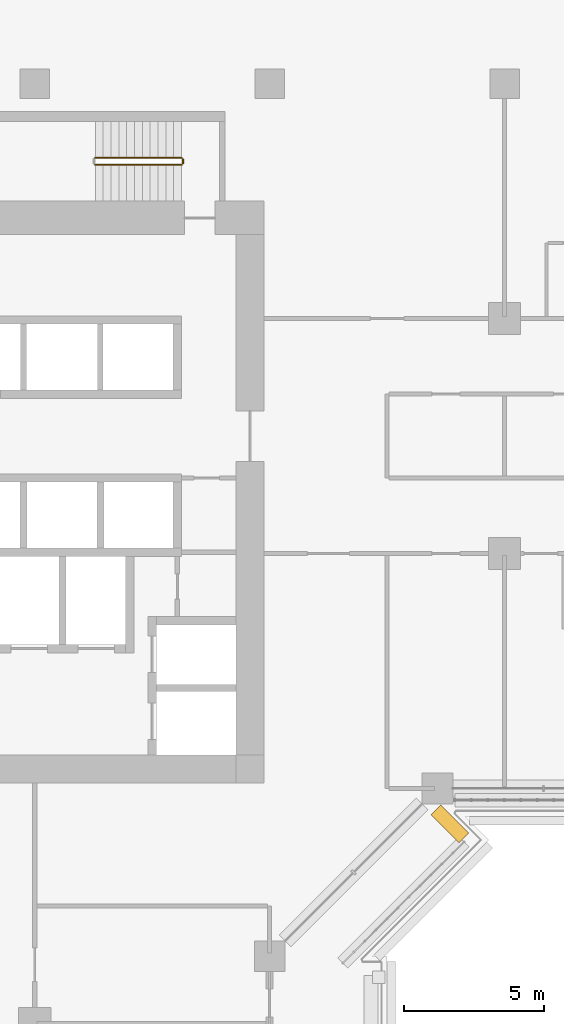
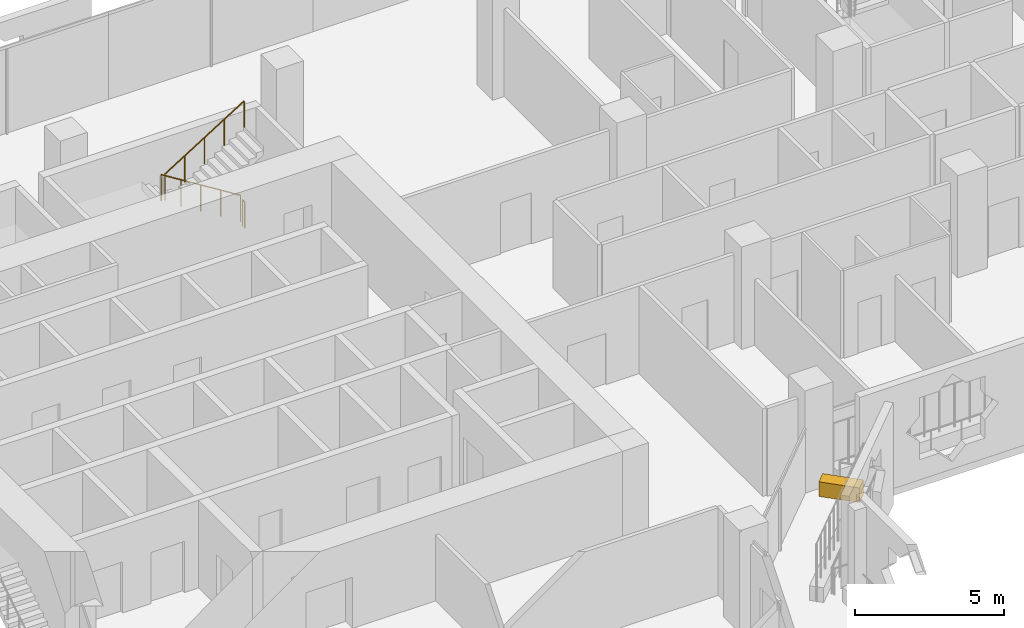
# One storey, part 22 of 26: 3 railings, 1 covering.
"""IFC4 building model written with IfcOpenShell, lengths in metres."""

import ifcopenshell
import ifcopenshell.guid

model = None  # the IFC model being written
_history = None  # IfcOwnerHistory: only IFC2X3 demands one
_inside = {}  # id of a spatial element -> (the spatial element, [elements in it])
_under = {}  # id of a project, library or spatial element -> (it, [spatial elements below it])
_declared = {}  # id of a project -> (the project, [libraries it declares])
_typed = {}  # id of a type object -> (the type object, [elements of that type])
_made_of = {}  # id of a material, layer set ... -> (it, [elements and type objects made of it])


def new_model(schema):
    """Start an empty IFC model of exactly this schema.

    Asked for "IFC4X3", IfcOpenShell would pick the latest addendum, in which some entities
    have other attributes; the version numbers below select the first issue.
    IFC2X3 requires an IfcOwnerHistory on every rooted entity: one is made here for all.
    """
    global model, _history
    if schema == "IFC4X3":
        model = ifcopenshell.file(schema_version=(4, 3, 0, 0))
    else:
        model = ifcopenshell.file(schema=schema)
    _inside.clear()
    _under.clear()
    _declared.clear()
    _typed.clear()
    _made_of.clear()
    _history = None
    if model.schema == "IFC2X3":
        org = make("IfcOrganization", Name="unknown")
        user = make(
            "IfcPersonAndOrganization",
            ThePerson=make("IfcPerson", FamilyName="unknown"),
            TheOrganization=org,
        )
        app = make(
            "IfcApplication",
            ApplicationDeveloper=org,
            Version="unknown",
            ApplicationFullName="unknown",
            ApplicationIdentifier="unknown",
        )
        _history = make(
            "IfcOwnerHistory",
            OwningUser=user,
            OwningApplication=app,
            ChangeAction="ADDED",
            CreationDate=0,
        )
    return model


def make(cls, **values):
    """One entity of the class cls with the attributes given. An attribute that is None is left unset."""
    return model.create_entity(
        cls, **{name: value for name, value in values.items() if value is not None}
    )


def rooted(cls, **values):
    """An entity with a GlobalId (a new one), such as an element, a storey or a relation."""
    return make(cls, GlobalId=ifcopenshell.guid.new(), OwnerHistory=_history, **values)


def si_unit(unit_type, name, prefix=None):
    """IfcSIUnit, for example si_unit("LENGTHUNIT", "METRE", prefix="MILLI")."""
    return make("IfcSIUnit", UnitType=unit_type, Prefix=prefix, Name=name)


def assignment(units):
    """IfcUnitAssignment: the units of a project."""
    return None if units is None else make("IfcUnitAssignment", Units=units)


def point(xyz):
    """IfcCartesianPoint."""
    return None if xyz is None else make("IfcCartesianPoint", Coordinates=xyz)


def direction(xyz):
    """IfcDirection."""
    return None if xyz is None else make("IfcDirection", DirectionRatios=xyz)


def frame(location, z_axis=None, x_axis=None):
    """IfcAxis2Placement3D, a coordinate frame: its origin and axes. An axis left out is left unset."""
    return make(
        "IfcAxis2Placement3D",
        Location=point(location),
        Axis=direction(z_axis),
        RefDirection=direction(x_axis),
    )


def frame_2d(location, x_axis=None):
    """IfcAxis2Placement2D, a coordinate frame in the plane: its origin and x axis."""
    return make(
        "IfcAxis2Placement2D", Location=point(location), RefDirection=direction(x_axis)
    )


def origin():
    """The frame at (0, 0, 0) with its axes left unset."""
    return frame((0.0, 0.0, 0.0))


def origin_2d():
    """The frame at (0, 0) in the plane with its x axis left unset."""
    return frame_2d((0.0, 0.0))


def place(relative_to, where):
    """IfcLocalPlacement: puts the frame where relative to a parent placement (None: the world)."""
    return make(
        "IfcLocalPlacement", PlacementRelTo=relative_to, RelativePlacement=where
    )


def context(
    kind, dimensions, precision=None, world=None, true_north=None, identifier=None
):
    """IfcGeometricRepresentationContext, for example the 3D "Model" context."""
    return make(
        "IfcGeometricRepresentationContext",
        ContextIdentifier=identifier,
        ContextType=kind,
        CoordinateSpaceDimension=dimensions,
        Precision=precision,
        WorldCoordinateSystem=world,
        TrueNorth=true_north,
    )


def subcontext(parent, identifier, kind, view, scale=None):
    """IfcGeometricRepresentationSubContext, for example "Body" below "Model"."""
    return make(
        "IfcGeometricRepresentationSubContext",
        ContextIdentifier=identifier,
        ContextType=kind,
        ParentContext=parent,
        TargetScale=scale,
        TargetView=view,
    )


def project(units=None, contexts=None):
    """IfcProject with its units and contexts."""
    return rooted(
        "IfcProject",
        Name="project",
        RepresentationContexts=contexts,
        UnitsInContext=assignment(units),
    )


def spatial(cls, under=None, at=None, **own):
    """A site, building, storey or space (cls), placed at a placement, below another one or the project."""
    s = rooted(cls, ObjectPlacement=at, **own)
    if under is not None:
        _under.setdefault(under.id(), (under, []))[1].append(s)
    return s


def profile(cls, at=None, kind="AREA", **sizes):
    """A parametric profile (cls). Its sizes go by their IFC names, for example OverallWidth=200.0."""
    return make(cls, ProfileType=kind, Position=at, **sizes)


def rectangle(**sizes):
    """IfcRectangleProfileDef."""
    return profile("IfcRectangleProfileDef", **sizes)


def circle(**sizes):
    """IfcCircleProfileDef."""
    return profile("IfcCircleProfileDef", **sizes)


def extrude(swept, where, along, depth):
    """IfcExtrudedAreaSolid: the profile swept, set in the frame where, extruded along a direction by depth."""
    return make(
        "IfcExtrudedAreaSolid",
        SweptArea=swept,
        Position=where,
        ExtrudedDirection=direction(along),
        Depth=depth,
    )


def shape(context_of_items, identifier, shape_type, items):
    """IfcShapeRepresentation: the items that make up one representation, for example the "Body"."""
    return make(
        "IfcShapeRepresentation",
        ContextOfItems=context_of_items,
        RepresentationIdentifier=identifier,
        RepresentationType=shape_type,
        Items=items,
    )


def material(Name=None, Category=None):
    """IfcMaterial."""
    return make("IfcMaterial", Name=Name, Category=Category)


def material_profile(
    of_material, cross_section, Name=None, Category=None, Priority=None
):
    """IfcMaterialProfile: a cross section and its material."""
    return make(
        "IfcMaterialProfile",
        Name=Name,
        Material=of_material,
        Profile=cross_section,
        Priority=Priority,
        Category=Category,
    )


def profile_set(profiles, Name=None, composite=None):
    """IfcMaterialProfileSet."""
    return make(
        "IfcMaterialProfileSet",
        Name=Name,
        MaterialProfiles=profiles,
        CompositeProfile=composite,
    )


def made_of(thing, what):
    """Note that an element or type object is made of a material, layer set ...; save() writes the relation."""
    if what is not None:
        _made_of.setdefault(what.id(), (what, []))[1].append(thing)
    return thing


def type_object(cls, material=None, **own):
    """A type object (cls), such as IfcWallType, which elements share."""
    return made_of(rooted(cls, **own), material)


def element(
    cls,
    number,
    at=None,
    inside=None,
    cuts=None,
    type_object=None,
    material=None,
    context=None,
    identifier="Body",
    shape_type=None,
    held_by="IfcProductDefinitionShape",
    body=None,
    shapes=None,
    **own,
):
    """One element of the class cls, such as IfcWall. Its Tag is "e" and its number.

    at: its placement. inside: the storey or other place that contains it. cuts: it is an
    opening in that element (IfcRelVoidsElement). A single representation is given by context,
    identifier, shape_type and body (its items); several are given by shapes. held_by: the class
    of the entity that holds the representations. save() writes the other relations.
    """
    e = rooted(cls, Tag="e%d" % number, ObjectPlacement=at, **own)
    if body is not None:
        shapes = [shape(context, identifier, shape_type, body)]
    if shapes is not None:
        e.Representation = make(held_by, Representations=shapes)
    if inside is not None:
        _inside.setdefault(inside.id(), (inside, []))[1].append(e)
    if cuts is not None:
        rooted(
            "IfcRelVoidsElement", RelatingBuildingElement=cuts, RelatedOpeningElement=e
        )
    if type_object is not None:
        _typed.setdefault(type_object.id(), (type_object, []))[1].append(e)
    return made_of(e, material)


def aggregate(whole, parts):
    """IfcRelAggregates: a whole, such as a stair, and the parts it consists of."""
    return rooted("IfcRelAggregates", RelatingObject=whole, RelatedObjects=parts)


def save(model, path):
    """Write the relations noted so far, then the file.

    IfcRelAggregates (storeys below a building ...), IfcRelContainedInSpatialStructure (elements
    in a storey), IfcRelDefinesByType, IfcRelAssociatesMaterial and IfcRelDeclares: one each for
    every whole, place, type object, material and project.
    """
    for whole, parts in _under.values():
        aggregate(whole, parts)
    for where, things in _inside.values():
        rooted(
            "IfcRelContainedInSpatialStructure",
            RelatedElements=things,
            RelatingStructure=where,
        )
    for kind, things in _typed.values():
        rooted("IfcRelDefinesByType", RelatedObjects=things, RelatingType=kind)
    for what, things in _made_of.values():
        rooted("IfcRelAssociatesMaterial", RelatedObjects=things, RelatingMaterial=what)
    for by, libraries in _declared.values():
        rooted("IfcRelDeclares", RelatingContext=by, RelatedDefinitions=libraries)
    model.write(path)


model = new_model("IFC4")

# Units and contexts
model_context = context("Model", 3, precision=1e-05, world=origin(), true_north=direction((0.0, 1.0)))
body_context = subcontext(model_context, "Body", "Model", "MODEL_VIEW")
ifc_project = project(units=[si_unit("LENGTHUNIT", "METRE"), si_unit("AREAUNIT", "SQUARE_METRE"), si_unit("VOLUMEUNIT", "CUBIC_METRE"), si_unit("PLANEANGLEUNIT", "RADIAN"), si_unit("MASSUNIT", "GRAM", prefix="KILO")], contexts=[model_context])

# Site, building, storey
site_placement = place(None, origin())
site = spatial("IfcSite", under=ifc_project, at=site_placement, CompositionType="ELEMENT")
building_placement = place(site_placement, origin())
building = spatial("IfcBuilding", under=site, at=building_placement, Name="Kawkab Arch Medical Tower", CompositionType="ELEMENT")
storey_placement = place(building_placement, frame((0.0, 0.0, 119.800048828125)))
storey = spatial("IfcBuildingStorey", under=building, at=storey_placement, Name="L27", CompositionType="ELEMENT", Elevation=119.800048828125)

# Covering
ifc_material_1 = material(Name="Planting soil in a precast trough", Category="concrete")
ifc_material_profile = material_profile(ifc_material_1, rectangle(XDim=0.5, YDim=0.60009765625, at=origin_2d()), Name="Trough 500x600")
ifc_profile_set = profile_set([ifc_material_profile], Name="Planting soil in a precast trough")
covering_type = type_object("IfcCoveringType", Name="Planter trough 500 x 600", PredefinedType="USERDEFINED", material=ifc_profile_set)
covering_placement = place(storey_placement, frame((31.14306640625, -25.962890625, 0.300048828125), z_axis=(0.707020805532, -0.707192746389, 0.0), x_axis=(0.707192746389, 0.707020805532, 0.0)))
element("IfcCovering", 1, at=covering_placement, inside=storey, type_object=covering_type, Name="Planter L27.LOG-01-01.42", ObjectType="PLANTER", PredefinedType="USERDEFINED", context=body_context, shape_type="SweptSolid", body=[
    extrude(rectangle(XDim=0.5, YDim=0.60009765625, at=origin_2d()), origin(), (0.0, 0.0, 1.0), 1.419921875),
])

# Railings
ifc_material_2 = material(Name="Stainless steel", Category="steel")
railing_type = type_object("IfcRailingType", Name="Stair guard 1100", PredefinedType="GUARDRAIL", material=ifc_material_2)
railing_1_placement = place(storey_placement, frame((22.050048828125, -2.64990234375, 0.175048828125)))
element("IfcRailing", 2, at=railing_1_placement, inside=storey, type_object=railing_type, Name="L27 ST4 stair guard 1", PredefinedType="GUARDRAIL", context=body_context, shape_type="SweptSolid", body=[
    extrude(circle(Radius=0.02392578125, at=origin_2d()), frame((0.0, 0.0, 1.076171875), z_axis=(-0.848028513186, 0.0, 0.529950602248), x_axis=(0.0, -1.0, 0.0)), (0.0, 0.0, 1.0), 3.632080078125),
    extrude(circle(Radius=0.02099609375, at=origin_2d()), origin(), (0.0, 0.0, 1.0), 1.052001953125),
    extrude(circle(Radius=0.02099609375, at=origin_2d()), frame((-0.77001953125, 0.0, 0.481201171875)), (0.0, 0.0, 1.0), 1.052001953125),
    extrude(circle(Radius=0.02099609375, at=origin_2d()), frame((-1.5400390625, 0.0, 0.96240234375)), (0.0, 0.0, 1.0), 1.052001953125),
    extrude(circle(Radius=0.02099609375, at=origin_2d()), frame((-2.31005859375, 0.0, 1.443603515625)), (0.0, 0.0, 1.0), 1.052001953125),
    extrude(circle(Radius=0.02099609375, at=origin_2d()), frame((-3.080078125, 0.0, 1.9248046875)), (0.0, 0.0, 1.0), 1.052001953125),
])
railing_2_placement = place(storey_placement, frame((18.969970703125, -2.89990234375, 2.27490234375)))
element("IfcRailing", 3, at=railing_2_placement, inside=storey, type_object=railing_type, Name="L27 ST4 stair guard 3", PredefinedType="GUARDRAIL", context=body_context, shape_type="SweptSolid", body=[
    extrude(circle(Radius=0.02392578125, at=origin_2d()), frame((0.0, 0.0, 1.076171875), z_axis=(0.847998304005, 0.0, 0.529998940003), x_axis=(0.0, 1.0, 0.0)), (0.0, 0.0, 1.0), 3.632080078125),
    extrude(circle(Radius=0.02099609375, at=origin_2d()), origin(), (0.0, 0.0, 1.0), 1.052001953125),
    extrude(circle(Radius=0.02099609375, at=origin_2d()), frame((0.77001953125, 0.0, 0.481201171875)), (0.0, 0.0, 1.0), 1.052001953125),
    extrude(circle(Radius=0.02099609375, at=origin_2d()), frame((1.5400390625, 0.0, 0.96240234375)), (0.0, 0.0, 1.0), 1.052001953125),
    extrude(circle(Radius=0.02099609375, at=origin_2d()), frame((2.31005859375, 0.0, 1.44384765625)), (0.0, 0.0, 1.0), 1.052001953125),
    extrude(circle(Radius=0.02099609375, at=origin_2d()), frame((3.080078125, 0.0, 1.925048828125)), (0.0, 0.0, 1.0), 1.052001953125),
])
railing_3_placement = place(storey_placement, frame((22.10009765625, -2.699951171875, 0.0)))
element("IfcRailing", 4, at=railing_3_placement, inside=storey, type_object=railing_type, Name="L27 ST4 stair guard 4", PredefinedType="GUARDRAIL", context=body_context, shape_type="SweptSolid", body=[
    extrude(circle(Radius=0.02392578125, at=origin_2d()), frame((0.0, 0.0, 1.076171875), z_axis=(0.0, -1.0, 0.0), x_axis=(1.0, 0.0, 0.0)), (0.0, 0.0, 1.0), 0.150146484375),
    extrude(circle(Radius=0.02099609375, at=origin_2d()), origin(), (0.0, 0.0, 1.0), 1.052001953125),
    extrude(circle(Radius=0.02099609375, at=origin_2d()), frame((0.0, -0.150146484375, 0.0)), (0.0, 0.0, 1.0), 1.052001953125),
])

save(model, "model.ifc")
